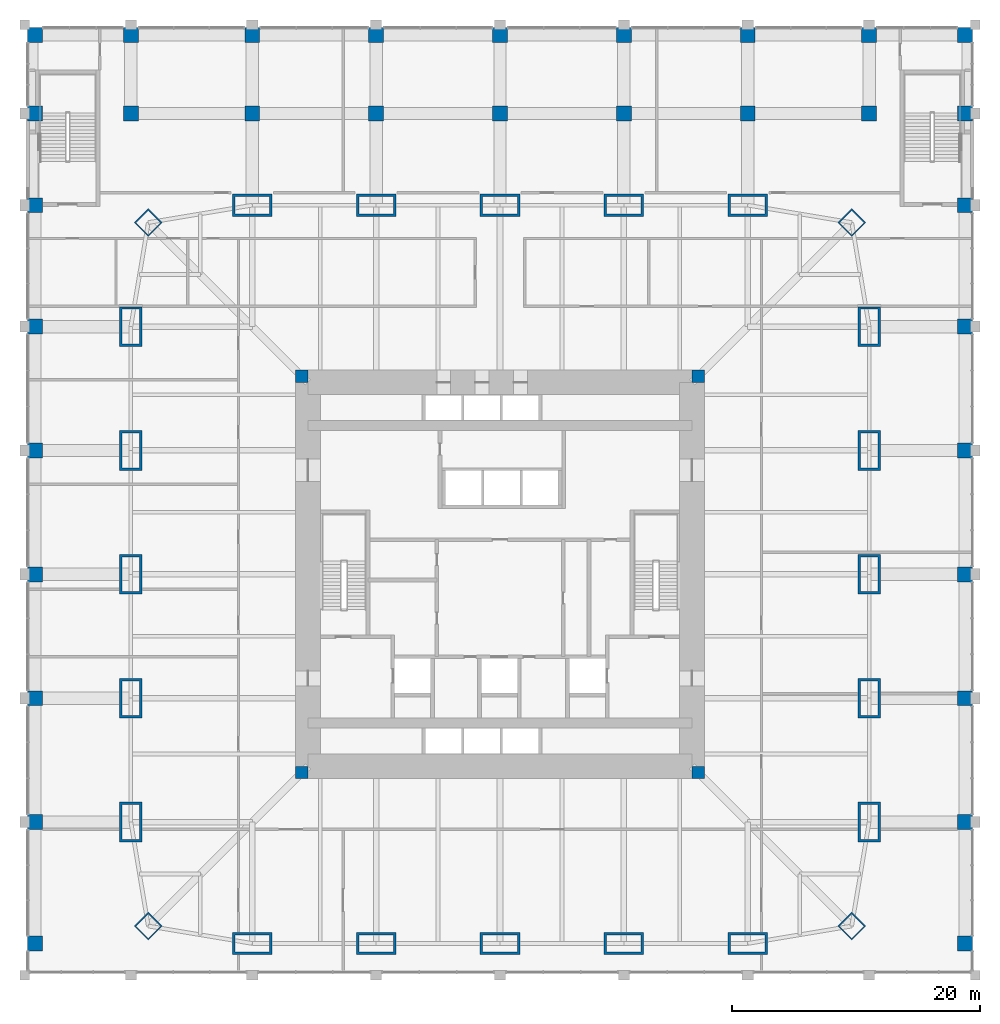
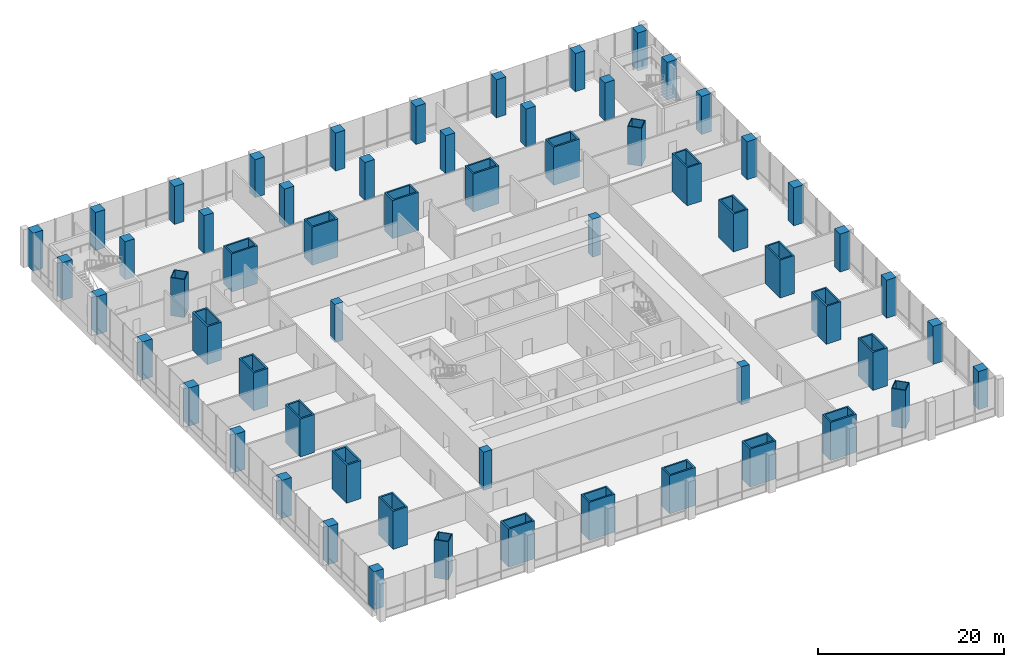
# One storey, part 1 of 24: 60 columns.
"""IFC4 building model written with IfcOpenShell, lengths in metres."""

from ifc_helpers import new_model, si_unit, direction, frame, origin, origin_2d, place, context, subcontext, project, spatial, rectangle, hollow_rectangle, extrude, material, material_profile, profile_set, type_object, element, save


model = new_model("IFC4")

# Units and contexts
model_context = context("Model", 3, precision=1e-05, world=origin(), true_north=direction((0.0, 1.0)))
body_context = subcontext(model_context, "Body", "Model", "MODEL_VIEW")
ifc_project = project(units=[si_unit("LENGTHUNIT", "METRE"), si_unit("AREAUNIT", "SQUARE_METRE"), si_unit("VOLUMEUNIT", "CUBIC_METRE"), si_unit("PLANEANGLEUNIT", "RADIAN"), si_unit("MASSUNIT", "GRAM", prefix="KILO")], contexts=[model_context])

# Site, building, storey
site_placement = place(None, origin())
site = spatial("IfcSite", under=ifc_project, at=site_placement, CompositionType="ELEMENT")
building_placement = place(site_placement, origin())
building = spatial("IfcBuilding", under=site, at=building_placement, Name="Khuree Lantern Residences", CompositionType="ELEMENT")
storey_placement = place(building_placement, frame((0.0, 0.0, 11.0)))
storey = spatial("IfcBuildingStorey", under=building, at=storey_placement, Name="L02", CompositionType="ELEMENT", Elevation=11.0)

# Columns
ifc_material_1 = material(Name="Steel S355 CFT welded box", Category="steel")
ifc_material_profile_1 = material_profile(ifc_material_1, hollow_rectangle(XDim=1.60009765625, YDim=1.60009765625, WallThickness=0.10009765625, at=origin_2d()), Name="WELDED BOX 1600X1600X100")
ifc_profile_set_1 = profile_set([ifc_material_profile_1], Name="Steel S355 CFT welded box")
column_type_1 = type_object("IfcColumnType", Name="CC1600 PERIMETER CORNER MEGA COLUMN WELDED BOX 1600X1600X100", PredefinedType="COLUMN", material=ifc_profile_set_1)
for number, where, z_axis, x_axis, name in (
    (1, (28.39404296875, 28.39404296875, 0.0), (0.0, 0.0, 1.0), (0.707106781187, -0.707106781187, 0.0), "Perimeter column NE"),
    (2, (28.39404296875, -28.39404296875, 0.0), (0.0, 0.0, 1.0), (0.707106781187, 0.707106781187, 0.0), "Perimeter column SE"),
    (3, (-28.39404296875, -28.39404296875, 0.0), (0.0, 0.0, 1.0), (0.707106781187, -0.707106781187, 0.0), "Perimeter column SW"),
    (4, (-28.39404296875, 28.39404296875, 0.0), (0.0, 0.0, 1.0), (0.707106781187, 0.707106781187, 0.0), "Perimeter column NW"),
):
    element("IfcColumn", number, at=place(storey_placement, frame(where, z_axis=z_axis, x_axis=x_axis)), inside=storey, type_object=column_type_1, Name=name, PredefinedType="COLUMN", context=body_context, shape_type="SweptSolid", body=[
        extrude(hollow_rectangle(XDim=1.60009765625, YDim=1.60009765625, WallThickness=0.10009765625, at=origin_2d()), origin(), (0.0, 0.0, 1.0), 5.0),
    ])
ifc_material_2 = material(Name="Concrete C70/85", Category="concrete")
ifc_material_profile_2 = material_profile(ifc_material_2, rectangle(XDim=1.0, YDim=1.0, at=origin_2d()), Name="RC 1000X1000")
ifc_profile_set_2 = profile_set([ifc_material_profile_2], Name="Concrete C70/85")
column_type_2 = type_object("IfcColumnType", Name="CP1000-C70 CORE CORNER PIER C70 RC 1000X1000", PredefinedType="COLUMN", material=ifc_profile_set_2)
for number, where, z_axis, x_axis, name in (
    (5, (16.0, 16.0, -0.300048828125), (0.0, 0.0, 1.0), (1.0, 0.0, 0.0), "Core corner pier NE"),
    (6, (-16.0, 16.0, -0.300048828125), (0.0, 0.0, 1.0), (1.0, 0.0, 0.0), "Core corner pier NW"),
    (7, (-16.0, -16.0, -0.300048828125), (0.0, 0.0, 1.0), (1.0, 0.0, 0.0), "Core corner pier SW"),
    (8, (16.0, -16.0, -0.300048828125), (0.0, 0.0, 1.0), (1.0, 0.0, 0.0), "Core corner pier SE"),
):
    element("IfcColumn", number, at=place(storey_placement, frame(where, z_axis=z_axis, x_axis=x_axis)), inside=storey, type_object=column_type_2, Name=name, PredefinedType="COLUMN", context=body_context, shape_type="SweptSolid", body=[
        extrude(rectangle(XDim=1.0, YDim=1.0, at=origin_2d()), origin(), (0.0, 0.0, 1.0), 5.0),
    ])
ifc_material_profile_3 = material_profile(ifc_material_2, rectangle(XDim=1.199951171875, YDim=1.199951171875, at=origin_2d()), Name="RC 1200X1200")
ifc_profile_set_3 = profile_set([ifc_material_profile_3], Name="Concrete C70/85")
column_type_3 = type_object("IfcColumnType", Name="GC1 PODIUM COLUMN RC 1200X1200", PredefinedType="COLUMN", material=ifc_profile_set_3)
for number, where, z_axis, x_axis, name in (
    (9, (-37.550048828125, -29.800048828125, 0.0), (0.0, 0.0, 1.0), (1.0, 0.0, 0.0), "Column GC-17"),
    (10, (37.550048828125, -29.800048828125, 0.0), (0.0, 0.0, 1.0), (1.0, 0.0, 0.0), "Column GC-18"),
    (11, (-37.550048828125, -20.0, 0.0), (0.0, 0.0, 1.0), (1.0, 0.0, 0.0), "Column GC-19"),
    (12, (37.550048828125, -20.0, 0.0), (0.0, 0.0, 1.0), (1.0, 0.0, 0.0), "Column GC-20"),
    (13, (-37.550048828125, -10.0, 0.0), (0.0, 0.0, 1.0), (1.0, 0.0, 0.0), "Column GC-21"),
    (14, (37.550048828125, -10.0, 0.0), (0.0, 0.0, 1.0), (1.0, 0.0, 0.0), "Column GC-22"),
    (15, (-37.550048828125, 0.0, 0.0), (0.0, 0.0, 1.0), (1.0, 0.0, 0.0), "Column GC-23"),
    (16, (37.550048828125, 0.0, 0.0), (0.0, 0.0, 1.0), (1.0, 0.0, 0.0), "Column GC-24"),
    (17, (-37.550048828125, 10.0, 0.0), (0.0, 0.0, 1.0), (1.0, 0.0, 0.0), "Column GC-25"),
    (18, (37.550048828125, 10.0, 0.0), (0.0, 0.0, 1.0), (1.0, 0.0, 0.0), "Column GC-26"),
    (19, (-37.550048828125, 20.0, 0.0), (0.0, 0.0, 1.0), (1.0, 0.0, 0.0), "Column GC-27"),
    (20, (37.550048828125, 20.0, 0.0), (0.0, 0.0, 1.0), (1.0, 0.0, 0.0), "Column GC-28"),
    (21, (-37.550048828125, 29.800048828125, 0.0), (0.0, 0.0, 1.0), (1.0, 0.0, 0.0), "Column GC-29"),
    (22, (37.550048828125, 29.800048828125, 0.0), (0.0, 0.0, 1.0), (1.0, 0.0, 0.0), "Column GC-30"),
    (23, (-37.550048828125, 37.199951171875, 0.0), (0.0, 0.0, 1.0), (1.0, 0.0, 0.0), "Column GC-31"),
    (24, (-29.800048828125, 37.199951171875, 0.0), (0.0, 0.0, 1.0), (1.0, 0.0, 0.0), "Column GC-32"),
    (25, (-20.0, 37.199951171875, 0.0), (0.0, 0.0, 1.0), (1.0, 0.0, 0.0), "Column GC-33"),
    (26, (-10.0, 37.199951171875, 0.0), (0.0, 0.0, 1.0), (1.0, 0.0, 0.0), "Column GC-34"),
    (27, (0.0, 37.199951171875, 0.0), (0.0, 0.0, 1.0), (1.0, 0.0, 0.0), "Column GC-35"),
    (28, (10.0, 37.199951171875, 0.0), (0.0, 0.0, 1.0), (1.0, 0.0, 0.0), "Column GC-36"),
    (29, (20.0, 37.199951171875, 0.0), (0.0, 0.0, 1.0), (1.0, 0.0, 0.0), "Column GC-37"),
    (30, (29.800048828125, 37.199951171875, 0.0), (0.0, 0.0, 1.0), (1.0, 0.0, 0.0), "Column GC-38"),
    (31, (37.550048828125, 37.199951171875, 0.0), (0.0, 0.0, 1.0), (1.0, 0.0, 0.0), "Column GC-39"),
    (32, (-37.550048828125, 43.550048828125, 0.0), (0.0, 0.0, 1.0), (1.0, 0.0, 0.0), "Column GC-40"),
    (33, (-29.800048828125, 43.550048828125, 0.0), (0.0, 0.0, 1.0), (1.0, 0.0, 0.0), "Column GC-41"),
    (34, (-20.0, 43.550048828125, 0.0), (0.0, 0.0, 1.0), (1.0, 0.0, 0.0), "Column GC-42"),
    (35, (-10.0, 43.550048828125, 0.0), (0.0, 0.0, 1.0), (1.0, 0.0, 0.0), "Column GC-43"),
    (36, (0.0, 43.550048828125, 0.0), (0.0, 0.0, 1.0), (1.0, 0.0, 0.0), "Column GC-44"),
    (37, (10.0, 43.550048828125, 0.0), (0.0, 0.0, 1.0), (1.0, 0.0, 0.0), "Column GC-45"),
    (38, (20.0, 43.550048828125, 0.0), (0.0, 0.0, 1.0), (1.0, 0.0, 0.0), "Column GC-46"),
    (39, (29.800048828125, 43.550048828125, 0.0), (0.0, 0.0, 1.0), (1.0, 0.0, 0.0), "Column GC-47"),
    (40, (37.550048828125, 43.550048828125, 0.0), (0.0, 0.0, 1.0), (1.0, 0.0, 0.0), "Column GC-48"),
):
    element("IfcColumn", number, at=place(storey_placement, frame(where, z_axis=z_axis, x_axis=x_axis)), inside=storey, type_object=column_type_3, Name=name, PredefinedType="COLUMN", context=body_context, shape_type="SweptSolid", body=[
        extrude(rectangle(XDim=1.199951171875, YDim=1.199951171875, at=origin_2d()), origin(), (0.0, 0.0, 1.0), 5.0),
    ])
ifc_material_profile_4 = material_profile(ifc_material_1, hollow_rectangle(XDim=3.199951171875, YDim=1.800048828125, WallThickness=0.199951171875, at=origin_2d()), Name="WELDED BOX 3200X1800X200")
ifc_profile_set_4 = profile_set([ifc_material_profile_4], Name="Steel S355 CFT welded box")
column_type_4 = type_object("IfcColumnType", Name="SC1 PERIMETER MEGA COLUMN WELDED BOX 3200X1800X200", PredefinedType="COLUMN", material=ifc_profile_set_4)
for number, where, z_axis, x_axis, name in (
    (41, (-20.0, 29.800048828125, 0.0), (0.0, 0.0, 1.0), (1.0, 0.0, 0.0), "Perimeter column N1"),
    (42, (-10.0, 29.800048828125, 0.0), (0.0, 0.0, 1.0), (1.0, 0.0, 0.0), "Perimeter column N2"),
    (43, (0.0, 29.800048828125, 0.0), (0.0, 0.0, 1.0), (1.0, 0.0, 0.0), "Perimeter column N3"),
    (44, (10.0, 29.800048828125, 0.0), (0.0, 0.0, 1.0), (1.0, 0.0, 0.0), "Perimeter column N4"),
    (45, (20.0, 29.800048828125, 0.0), (0.0, 0.0, 1.0), (1.0, 0.0, 0.0), "Perimeter column N5"),
    (46, (29.800048828125, 20.0, 0.0), (0.0, 0.0, 1.0), (0.0, 1.0, 0.0), "Perimeter column E1"),
    (47, (29.800048828125, 10.0, 0.0), (0.0, 0.0, 1.0), (0.0, 1.0, 0.0), "Perimeter column E2"),
    (48, (29.800048828125, 0.0, 0.0), (0.0, 0.0, 1.0), (0.0, 1.0, 0.0), "Perimeter column E3"),
    (49, (29.800048828125, -10.0, 0.0), (0.0, 0.0, 1.0), (0.0, 1.0, 0.0), "Perimeter column E4"),
    (50, (29.800048828125, -20.0, 0.0), (0.0, 0.0, 1.0), (0.0, 1.0, 0.0), "Perimeter column E5"),
    (51, (20.0, -29.800048828125, 0.0), (0.0, 0.0, 1.0), (1.0, 0.0, 0.0), "Perimeter column S1"),
    (52, (10.0, -29.800048828125, 0.0), (0.0, 0.0, 1.0), (1.0, 0.0, 0.0), "Perimeter column S2"),
    (53, (0.0, -29.800048828125, 0.0), (0.0, 0.0, 1.0), (1.0, 0.0, 0.0), "Perimeter column S3"),
    (54, (-10.0, -29.800048828125, 0.0), (0.0, 0.0, 1.0), (1.0, 0.0, 0.0), "Perimeter column S4"),
    (55, (-20.0, -29.800048828125, 0.0), (0.0, 0.0, 1.0), (1.0, 0.0, 0.0), "Perimeter column S5"),
    (56, (-29.800048828125, -20.0, 0.0), (0.0, 0.0, 1.0), (0.0, 1.0, 0.0), "Perimeter column W1"),
    (57, (-29.800048828125, -10.0, 0.0), (0.0, 0.0, 1.0), (0.0, 1.0, 0.0), "Perimeter column W2"),
    (58, (-29.800048828125, 0.0, 0.0), (0.0, 0.0, 1.0), (0.0, 1.0, 0.0), "Perimeter column W3"),
    (59, (-29.800048828125, 10.0, 0.0), (0.0, 0.0, 1.0), (0.0, 1.0, 0.0), "Perimeter column W4"),
    (60, (-29.800048828125, 20.0, 0.0), (0.0, 0.0, 1.0), (0.0, 1.0, 0.0), "Perimeter column W5"),
):
    element("IfcColumn", number, at=place(storey_placement, frame(where, z_axis=z_axis, x_axis=x_axis)), inside=storey, type_object=column_type_4, Name=name, PredefinedType="COLUMN", context=body_context, shape_type="SweptSolid", body=[
        extrude(hollow_rectangle(XDim=3.199951171875, YDim=1.800048828125, WallThickness=0.199951171875, at=origin_2d()), origin(), (0.0, 0.0, 1.0), 5.0),
    ])

save(model, "model.ifc")
